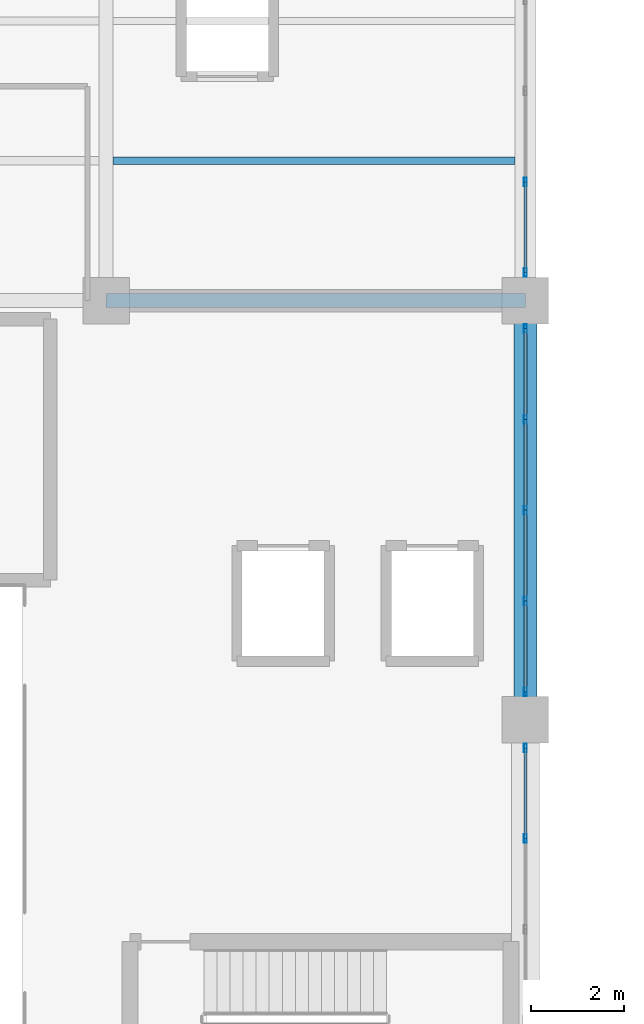
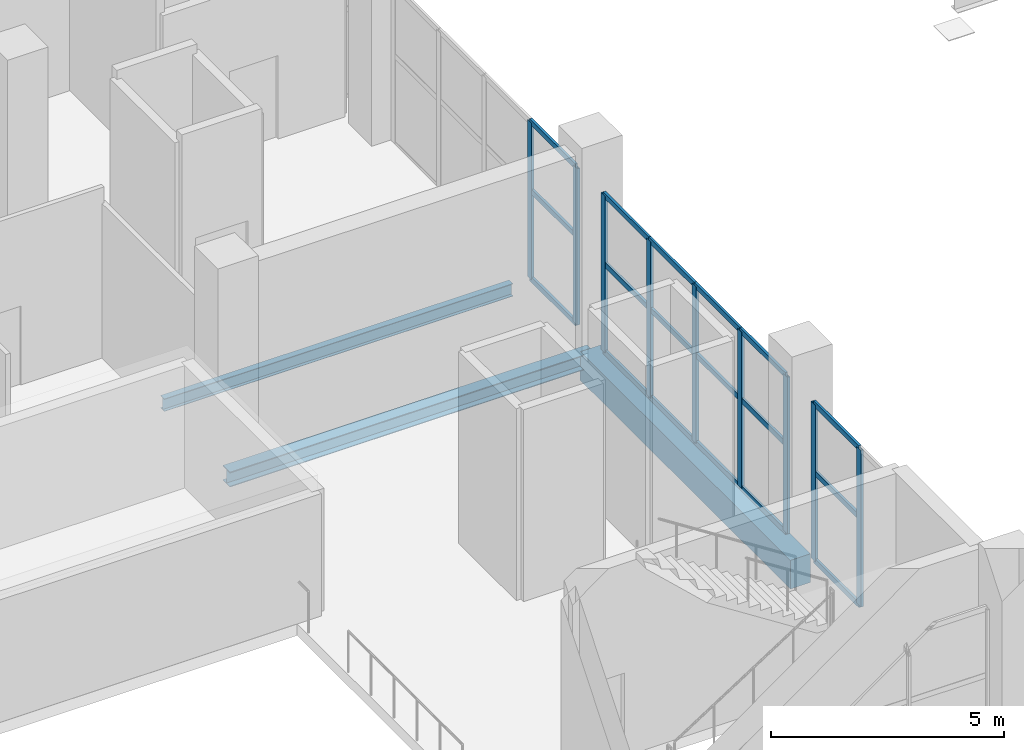
# One storey, part 39 of 147: 27 members, 3 beams, 3 elements without a shape of their own.
"""IFC4 building model written with IfcOpenShell, lengths in metres."""

from ifc_helpers import new_model, si_unit, direction, frame, origin, origin_2d, place, context, subcontext, project, spatial, rectangle, hollow_rectangle, i_section, extrude, material, layer, layer_set, material_profile, profile_set, type_object, element, aggregate, save


model = new_model("IFC4")

# Units and contexts
model_context = context("Model", 3, precision=1e-05, world=origin(), true_north=direction((0.0, 1.0)))
body_context = subcontext(model_context, "Body", "Model", "MODEL_VIEW")
ifc_project = project(units=[si_unit("LENGTHUNIT", "METRE"), si_unit("AREAUNIT", "SQUARE_METRE"), si_unit("VOLUMEUNIT", "CUBIC_METRE"), si_unit("PLANEANGLEUNIT", "RADIAN"), si_unit("MASSUNIT", "GRAM", prefix="KILO")], contexts=[model_context])

# Site, building, storey
site_placement = place(None, origin())
site = spatial("IfcSite", under=ifc_project, at=site_placement, CompositionType="ELEMENT")
building_placement = place(site_placement, origin())
building = spatial("IfcBuilding", under=site, at=building_placement, Name="Sundgate Opera House", CompositionType="ELEMENT")
storey_placement = place(building_placement, frame((0.0, 0.0, 6.0)))
storey = spatial("IfcBuildingStorey", under=building, at=storey_placement, Name="L01", CompositionType="ELEMENT", Elevation=6.0)

# Beams
ifc_material_1 = material(Name="Steel S355J2", Category="steel")
ifc_material_profile_1 = material_profile(ifc_material_1, i_section(OverallWidth=0.300048828125, OverallDepth=0.389892578125, WebThickness=0.010986328125, FlangeThickness=0.01904296875, at=origin_2d()), Name="HEA 400")
ifc_profile_set_1 = profile_set([ifc_material_profile_1], Name="Steel S355J2")
beam_type_1 = type_object("IfcBeamType", Name="BM-GR-HEA400", PredefinedType="BEAM", material=ifc_profile_set_1)
beam_1_placement = place(storey_placement, frame((63.0, 60.0, -0.4951171875), z_axis=(1.0, 0.0, 0.0), x_axis=(0.0, 1.0, 0.0)))
element("IfcBeam", 1, at=beam_1_placement, inside=storey, type_object=beam_type_1, Name="L01 Primary E-W Girder B1347", PredefinedType="BEAM", context=body_context, shape_type="SweptSolid", body=[
    extrude(i_section(OverallWidth=0.300048828125, OverallDepth=0.389892578125, WebThickness=0.010986328125, FlangeThickness=0.01904296875, at=origin_2d()), origin(), (0.0, 0.0, 1.0), 9.0),
])
ifc_material_2 = material(Name="Steel S355J2", Category="steel")
ifc_material_profile_2 = material_profile(ifc_material_2, i_section(OverallWidth=0.159912109375, OverallDepth=0.330078125, WebThickness=0.007568359375, FlangeThickness=0.011474609375, at=origin_2d()), Name="IPE 330")
ifc_profile_set_2 = profile_set([ifc_material_profile_2], Name="Steel S355J2")
beam_type_2 = type_object("IfcBeamType", Name="BM-JS-IPE330", PredefinedType="JOIST", material=ifc_profile_set_2)
beam_2_placement = place(storey_placement, frame((63.14990234375, 63.0, -0.465087890625), z_axis=(1.0, 0.0, 0.0), x_axis=(0.0, 1.0, 0.0)))
element("IfcBeam", 2, at=beam_2_placement, inside=storey, type_object=beam_type_2, Name="L01 Secondary Floor Joist B1592", PredefinedType="JOIST", context=body_context, shape_type="SweptSolid", body=[
    extrude(i_section(OverallWidth=0.159912109375, OverallDepth=0.330078125, WebThickness=0.007568359375, FlangeThickness=0.011474609375, at=origin_2d()), origin(), (0.0, 0.0, 1.0), 8.625),
])
ifc_material_3 = material(Name="Concrete C40/50", Category="concrete")
ifc_material_profile_3 = material_profile(ifc_material_3, rectangle(XDim=0.5, YDim=0.75, at=origin_2d()), Name="RC 500x750")
ifc_profile_set_3 = profile_set([ifc_material_profile_3], Name="Concrete C40/50")
beam_type_3 = type_object("IfcBeamType", Name="BM-RC-500x750", PredefinedType="BEAM", material=ifc_profile_set_3)
beam_3_placement = place(storey_placement, frame((72.0, 51.0, -0.675048828125), z_axis=(0.0, 1.0, 0.0), x_axis=(-1.0, 0.0, 0.0)))
element("IfcBeam", 3, at=beam_3_placement, inside=storey, type_object=beam_type_3, Name="L01 Primary N-S Girder B1134", PredefinedType="BEAM", context=body_context, shape_type="SweptSolid", body=[
    extrude(rectangle(XDim=0.5, YDim=0.75, at=origin_2d()), origin(), (0.0, 0.0, 1.0), 9.0),
])

# Curtain wall, members
ifc_material_4 = material(Name="Anodized aluminium and low-iron glass", Category="aluminium")
ifc_layer = layer(ifc_material_4, 0.179931640625)
ifc_layer_set = layer_set([ifc_layer], Name="Anodized aluminium and low-iron glass")
curtain_wall_type = type_object("IfcCurtainWallType", Name="CW-FOYER-GLASS", PredefinedType="NOTDEFINED", material=ifc_layer_set)
curtain_wall_1_placement = place(storey_placement, origin())
curtain_wall_1 = element("IfcCurtainWall", 4, at=curtain_wall_1_placement, inside=storey, type_object=curtain_wall_type, Name="L01 Curtain Wall CW023", PredefinedType="NOTDEFINED")
ifc_material_5 = material(Name="Anodized aluminium EN AW-6063", Category="aluminium")
ifc_material_profile_4 = material_profile(ifc_material_5, hollow_rectangle(XDim=0.06494140625, YDim=0.179931640625, WallThickness=0.00390625, at=origin_2d()), Name="CWM 180x65x4")
ifc_profile_set_4 = profile_set([ifc_material_profile_4], Name="Anodized aluminium EN AW-6063")
member_type_1 = type_object("IfcMemberType", Name="CWM-ALU-180x65", PredefinedType="MULLION", material=ifc_profile_set_4)
member_1_placement = place(storey_placement, frame((72.0, 48.449951171875, 0.0), z_axis=(0.0, 0.0, 1.0), x_axis=(1.0, 0.0, 0.0)))
member_1 = element("IfcMember", 5, at=member_1_placement, type_object=member_type_1, Name="CW023 Mullion 4", PredefinedType="MULLION", context=body_context, shape_type="SweptSolid", body=[
    extrude(hollow_rectangle(XDim=0.06494140625, YDim=0.179931640625, WallThickness=0.00390625, at=origin_2d()), origin(), (0.0, 0.0, 1.0), 4.094970703125),
])
member_2_placement = place(storey_placement, frame((72.0, 50.39990234375, 0.0), z_axis=(0.0, 0.0, 1.0), x_axis=(1.0, 0.0, 0.0)))
member_2 = element("IfcMember", 6, at=member_2_placement, type_object=member_type_1, Name="CW023 Mullion 5", PredefinedType="MULLION", context=body_context, shape_type="SweptSolid", body=[
    extrude(hollow_rectangle(XDim=0.06494140625, YDim=0.179931640625, WallThickness=0.00390625, at=origin_2d()), origin(), (0.0, 0.0, 1.0), 4.094970703125),
])

curtain_wall_2_placement = place(storey_placement, origin())
curtain_wall_2 = element("IfcCurtainWall", 7, at=curtain_wall_2_placement, inside=storey, type_object=curtain_wall_type, Name="L01 Curtain Wall CW024", PredefinedType="NOTDEFINED")
member_3_placement = place(storey_placement, frame((72.0, 51.60009765625, 0.0), z_axis=(0.0, 0.0, 1.0), x_axis=(1.0, 0.0, 0.0)))
member_3 = element("IfcMember", 8, at=member_3_placement, type_object=member_type_1, Name="CW024 Mullion 1", PredefinedType="MULLION", context=body_context, shape_type="SweptSolid", body=[
    extrude(hollow_rectangle(XDim=0.06494140625, YDim=0.179931640625, WallThickness=0.00390625, at=origin_2d()), origin(), (0.0, 0.0, 1.0), 4.094970703125),
])
member_4_placement = place(storey_placement, frame((72.0, 53.550048828125, 0.0), z_axis=(0.0, 0.0, 1.0), x_axis=(1.0, 0.0, 0.0)))
member_4 = element("IfcMember", 9, at=member_4_placement, type_object=member_type_1, Name="CW024 Mullion 2", PredefinedType="MULLION", context=body_context, shape_type="SweptSolid", body=[
    extrude(hollow_rectangle(XDim=0.06494140625, YDim=0.179931640625, WallThickness=0.00390625, at=origin_2d()), origin(), (0.0, 0.0, 1.0), 4.094970703125),
])
member_5_placement = place(storey_placement, frame((72.0, 55.5, 0.0), z_axis=(0.0, 0.0, 1.0), x_axis=(1.0, 0.0, 0.0)))
member_5 = element("IfcMember", 10, at=member_5_placement, type_object=member_type_1, Name="CW024 Mullion 3", PredefinedType="MULLION", context=body_context, shape_type="SweptSolid", body=[
    extrude(hollow_rectangle(XDim=0.06494140625, YDim=0.179931640625, WallThickness=0.00390625, at=origin_2d()), origin(), (0.0, 0.0, 1.0), 4.094970703125),
])
member_6_placement = place(storey_placement, frame((72.0, 57.449951171875, 0.0), z_axis=(0.0, 0.0, 1.0), x_axis=(1.0, 0.0, 0.0)))
member_6 = element("IfcMember", 11, at=member_6_placement, type_object=member_type_1, Name="CW024 Mullion 4", PredefinedType="MULLION", context=body_context, shape_type="SweptSolid", body=[
    extrude(hollow_rectangle(XDim=0.06494140625, YDim=0.179931640625, WallThickness=0.00390625, at=origin_2d()), origin(), (0.0, 0.0, 1.0), 4.094970703125),
])
member_7_placement = place(storey_placement, frame((72.0, 59.39990234375, 0.0), z_axis=(0.0, 0.0, 1.0), x_axis=(1.0, 0.0, 0.0)))
member_7 = element("IfcMember", 12, at=member_7_placement, type_object=member_type_1, Name="CW024 Mullion 5", PredefinedType="MULLION", context=body_context, shape_type="SweptSolid", body=[
    extrude(hollow_rectangle(XDim=0.06494140625, YDim=0.179931640625, WallThickness=0.00390625, at=origin_2d()), origin(), (0.0, 0.0, 1.0), 4.094970703125),
])

curtain_wall_3_placement = place(storey_placement, origin())
curtain_wall_3 = element("IfcCurtainWall", 13, at=curtain_wall_3_placement, inside=storey, type_object=curtain_wall_type, Name="L01 Curtain Wall CW025", PredefinedType="NOTDEFINED")
member_8_placement = place(storey_placement, frame((72.0, 60.60009765625, 0.0), z_axis=(0.0, 0.0, 1.0), x_axis=(1.0, 0.0, 0.0)))
member_8 = element("IfcMember", 14, at=member_8_placement, type_object=member_type_1, Name="CW025 Mullion 1", PredefinedType="MULLION", context=body_context, shape_type="SweptSolid", body=[
    extrude(hollow_rectangle(XDim=0.06494140625, YDim=0.179931640625, WallThickness=0.00390625, at=origin_2d()), origin(), (0.0, 0.0, 1.0), 4.094970703125),
])
member_9_placement = place(storey_placement, frame((72.0, 62.550048828125, 0.0), z_axis=(0.0, 0.0, 1.0), x_axis=(1.0, 0.0, 0.0)))
member_9 = element("IfcMember", 15, at=member_9_placement, type_object=member_type_1, Name="CW025 Mullion 2", PredefinedType="MULLION", context=body_context, shape_type="SweptSolid", body=[
    extrude(hollow_rectangle(XDim=0.06494140625, YDim=0.179931640625, WallThickness=0.00390625, at=origin_2d()), origin(), (0.0, 0.0, 1.0), 4.094970703125),
])

# Member
ifc_material_6 = material(Name="Anodized aluminium EN AW-6063", Category="aluminium")
ifc_material_profile_5 = material_profile(ifc_material_6, hollow_rectangle(XDim=0.06005859375, YDim=0.139892578125, WallThickness=0.00390625, at=origin_2d()), Name="CWT 140x60x4")
ifc_profile_set_5 = profile_set([ifc_material_profile_5], Name="Anodized aluminium EN AW-6063")
member_type_2 = type_object("IfcMemberType", Name="CWT-ALU-140x60", PredefinedType="USERDEFINED", material=ifc_profile_set_5)
member_10_placement = place(storey_placement, frame((72.0, 48.449951171875, 0.0), z_axis=(0.0, 1.0, 0.0), x_axis=(-1.0, 0.0, 0.0)))
member_10 = element("IfcMember", 16, at=member_10_placement, type_object=member_type_2, Name="CW023 Transom 10", ObjectType="TRANSOM", PredefinedType="USERDEFINED", context=body_context, shape_type="SweptSolid", body=[
    extrude(hollow_rectangle(XDim=0.06005859375, YDim=0.139892578125, WallThickness=0.00390625, at=origin_2d()), origin(), (0.0, 0.0, 1.0), 1.949951171875),
])

member_11_placement = place(storey_placement, frame((72.0, 48.449951171875, 2.300048828125), z_axis=(0.0, 1.0, 0.0), x_axis=(-1.0, 0.0, 0.0)))
member_11 = element("IfcMember", 17, at=member_11_placement, type_object=member_type_2, Name="CW023 Transom 11", ObjectType="TRANSOM", PredefinedType="USERDEFINED", context=body_context, shape_type="SweptSolid", body=[
    extrude(hollow_rectangle(XDim=0.06005859375, YDim=0.139892578125, WallThickness=0.00390625, at=origin_2d()), origin(), (0.0, 0.0, 1.0), 1.949951171875),
])

member_12_placement = place(storey_placement, frame((72.0, 48.449951171875, 4.094970703125), z_axis=(0.0, 1.0, 0.0), x_axis=(-1.0, 0.0, 0.0)))
member_12 = element("IfcMember", 18, at=member_12_placement, type_object=member_type_2, Name="CW023 Transom 12", ObjectType="TRANSOM", PredefinedType="USERDEFINED", context=body_context, shape_type="SweptSolid", body=[
    extrude(hollow_rectangle(XDim=0.06005859375, YDim=0.139892578125, WallThickness=0.00390625, at=origin_2d()), origin(), (0.0, 0.0, 1.0), 1.949951171875),
])

aggregate(curtain_wall_1, [member_1, member_2, member_10, member_11, member_12])

member_13_placement = place(storey_placement, frame((72.0, 51.60009765625, 0.0), z_axis=(0.0, 1.0, 0.0), x_axis=(-1.0, 0.0, 0.0)))
member_13 = element("IfcMember", 19, at=member_13_placement, type_object=member_type_2, Name="CW024 Transom 1", ObjectType="TRANSOM", PredefinedType="USERDEFINED", context=body_context, shape_type="SweptSolid", body=[
    extrude(hollow_rectangle(XDim=0.06005859375, YDim=0.139892578125, WallThickness=0.00390625, at=origin_2d()), origin(), (0.0, 0.0, 1.0), 1.949951171875),
])

member_14_placement = place(storey_placement, frame((72.0, 51.60009765625, 2.300048828125), z_axis=(0.0, 1.0, 0.0), x_axis=(-1.0, 0.0, 0.0)))
member_14 = element("IfcMember", 20, at=member_14_placement, type_object=member_type_2, Name="CW024 Transom 2", ObjectType="TRANSOM", PredefinedType="USERDEFINED", context=body_context, shape_type="SweptSolid", body=[
    extrude(hollow_rectangle(XDim=0.06005859375, YDim=0.139892578125, WallThickness=0.00390625, at=origin_2d()), origin(), (0.0, 0.0, 1.0), 1.949951171875),
])

member_15_placement = place(storey_placement, frame((72.0, 51.60009765625, 4.094970703125), z_axis=(0.0, 1.0, 0.0), x_axis=(-1.0, 0.0, 0.0)))
member_15 = element("IfcMember", 21, at=member_15_placement, type_object=member_type_2, Name="CW024 Transom 3", ObjectType="TRANSOM", PredefinedType="USERDEFINED", context=body_context, shape_type="SweptSolid", body=[
    extrude(hollow_rectangle(XDim=0.06005859375, YDim=0.139892578125, WallThickness=0.00390625, at=origin_2d()), origin(), (0.0, 0.0, 1.0), 1.949951171875),
])

member_16_placement = place(storey_placement, frame((72.0, 53.550048828125, 0.0), z_axis=(0.0, 1.0, 0.0), x_axis=(-1.0, 0.0, 0.0)))
member_16 = element("IfcMember", 22, at=member_16_placement, type_object=member_type_2, Name="CW024 Transom 4", ObjectType="TRANSOM", PredefinedType="USERDEFINED", context=body_context, shape_type="SweptSolid", body=[
    extrude(hollow_rectangle(XDim=0.06005859375, YDim=0.139892578125, WallThickness=0.00390625, at=origin_2d()), origin(), (0.0, 0.0, 1.0), 1.949951171875),
])

member_17_placement = place(storey_placement, frame((72.0, 53.550048828125, 2.300048828125), z_axis=(0.0, 1.0, 0.0), x_axis=(-1.0, 0.0, 0.0)))
member_17 = element("IfcMember", 23, at=member_17_placement, type_object=member_type_2, Name="CW024 Transom 5", ObjectType="TRANSOM", PredefinedType="USERDEFINED", context=body_context, shape_type="SweptSolid", body=[
    extrude(hollow_rectangle(XDim=0.06005859375, YDim=0.139892578125, WallThickness=0.00390625, at=origin_2d()), origin(), (0.0, 0.0, 1.0), 1.949951171875),
])

member_18_placement = place(storey_placement, frame((72.0, 53.550048828125, 4.094970703125), z_axis=(0.0, 1.0, 0.0), x_axis=(-1.0, 0.0, 0.0)))
member_18 = element("IfcMember", 24, at=member_18_placement, type_object=member_type_2, Name="CW024 Transom 6", ObjectType="TRANSOM", PredefinedType="USERDEFINED", context=body_context, shape_type="SweptSolid", body=[
    extrude(hollow_rectangle(XDim=0.06005859375, YDim=0.139892578125, WallThickness=0.00390625, at=origin_2d()), origin(), (0.0, 0.0, 1.0), 1.949951171875),
])

member_19_placement = place(storey_placement, frame((72.0, 55.5, 0.0), z_axis=(0.0, 1.0, 0.0), x_axis=(-1.0, 0.0, 0.0)))
member_19 = element("IfcMember", 25, at=member_19_placement, type_object=member_type_2, Name="CW024 Transom 7", ObjectType="TRANSOM", PredefinedType="USERDEFINED", context=body_context, shape_type="SweptSolid", body=[
    extrude(hollow_rectangle(XDim=0.06005859375, YDim=0.139892578125, WallThickness=0.00390625, at=origin_2d()), origin(), (0.0, 0.0, 1.0), 1.949951171875),
])

member_20_placement = place(storey_placement, frame((72.0, 55.5, 2.300048828125), z_axis=(0.0, 1.0, 0.0), x_axis=(-1.0, 0.0, 0.0)))
member_20 = element("IfcMember", 26, at=member_20_placement, type_object=member_type_2, Name="CW024 Transom 8", ObjectType="TRANSOM", PredefinedType="USERDEFINED", context=body_context, shape_type="SweptSolid", body=[
    extrude(hollow_rectangle(XDim=0.06005859375, YDim=0.139892578125, WallThickness=0.00390625, at=origin_2d()), origin(), (0.0, 0.0, 1.0), 1.949951171875),
])

member_21_placement = place(storey_placement, frame((72.0, 55.5, 4.094970703125), z_axis=(0.0, 1.0, 0.0), x_axis=(-1.0, 0.0, 0.0)))
member_21 = element("IfcMember", 27, at=member_21_placement, type_object=member_type_2, Name="CW024 Transom 9", ObjectType="TRANSOM", PredefinedType="USERDEFINED", context=body_context, shape_type="SweptSolid", body=[
    extrude(hollow_rectangle(XDim=0.06005859375, YDim=0.139892578125, WallThickness=0.00390625, at=origin_2d()), origin(), (0.0, 0.0, 1.0), 1.949951171875),
])

member_22_placement = place(storey_placement, frame((72.0, 57.449951171875, 0.0), z_axis=(0.0, 1.0, 0.0), x_axis=(-1.0, 0.0, 0.0)))
member_22 = element("IfcMember", 28, at=member_22_placement, type_object=member_type_2, Name="CW024 Transom 10", ObjectType="TRANSOM", PredefinedType="USERDEFINED", context=body_context, shape_type="SweptSolid", body=[
    extrude(hollow_rectangle(XDim=0.06005859375, YDim=0.139892578125, WallThickness=0.00390625, at=origin_2d()), origin(), (0.0, 0.0, 1.0), 1.949951171875),
])

member_23_placement = place(storey_placement, frame((72.0, 57.449951171875, 2.300048828125), z_axis=(0.0, 1.0, 0.0), x_axis=(-1.0, 0.0, 0.0)))
member_23 = element("IfcMember", 29, at=member_23_placement, type_object=member_type_2, Name="CW024 Transom 11", ObjectType="TRANSOM", PredefinedType="USERDEFINED", context=body_context, shape_type="SweptSolid", body=[
    extrude(hollow_rectangle(XDim=0.06005859375, YDim=0.139892578125, WallThickness=0.00390625, at=origin_2d()), origin(), (0.0, 0.0, 1.0), 1.949951171875),
])

member_24_placement = place(storey_placement, frame((72.0, 57.449951171875, 4.094970703125), z_axis=(0.0, 1.0, 0.0), x_axis=(-1.0, 0.0, 0.0)))
member_24 = element("IfcMember", 30, at=member_24_placement, type_object=member_type_2, Name="CW024 Transom 12", ObjectType="TRANSOM", PredefinedType="USERDEFINED", context=body_context, shape_type="SweptSolid", body=[
    extrude(hollow_rectangle(XDim=0.06005859375, YDim=0.139892578125, WallThickness=0.00390625, at=origin_2d()), origin(), (0.0, 0.0, 1.0), 1.949951171875),
])

aggregate(curtain_wall_2, [member_3, member_4, member_5, member_6, member_7, member_13, member_14, member_15, member_16, member_17, member_18, member_19, member_20, member_21, member_22, member_23, member_24])

member_25_placement = place(storey_placement, frame((72.0, 60.60009765625, 0.0), z_axis=(0.0, 1.0, 0.0), x_axis=(-1.0, 0.0, 0.0)))
member_25 = element("IfcMember", 31, at=member_25_placement, type_object=member_type_2, Name="CW025 Transom 1", ObjectType="TRANSOM", PredefinedType="USERDEFINED", context=body_context, shape_type="SweptSolid", body=[
    extrude(hollow_rectangle(XDim=0.06005859375, YDim=0.139892578125, WallThickness=0.00390625, at=origin_2d()), origin(), (0.0, 0.0, 1.0), 1.949951171875),
])

member_26_placement = place(storey_placement, frame((72.0, 60.60009765625, 2.300048828125), z_axis=(0.0, 1.0, 0.0), x_axis=(-1.0, 0.0, 0.0)))
member_26 = element("IfcMember", 32, at=member_26_placement, type_object=member_type_2, Name="CW025 Transom 2", ObjectType="TRANSOM", PredefinedType="USERDEFINED", context=body_context, shape_type="SweptSolid", body=[
    extrude(hollow_rectangle(XDim=0.06005859375, YDim=0.139892578125, WallThickness=0.00390625, at=origin_2d()), origin(), (0.0, 0.0, 1.0), 1.949951171875),
])

member_27_placement = place(storey_placement, frame((72.0, 60.60009765625, 4.094970703125), z_axis=(0.0, 1.0, 0.0), x_axis=(-1.0, 0.0, 0.0)))
member_27 = element("IfcMember", 33, at=member_27_placement, type_object=member_type_2, Name="CW025 Transom 3", ObjectType="TRANSOM", PredefinedType="USERDEFINED", context=body_context, shape_type="SweptSolid", body=[
    extrude(hollow_rectangle(XDim=0.06005859375, YDim=0.139892578125, WallThickness=0.00390625, at=origin_2d()), origin(), (0.0, 0.0, 1.0), 1.949951171875),
])

aggregate(curtain_wall_3, [member_8, member_9, member_25, member_26, member_27])

save(model, "model.ifc")
